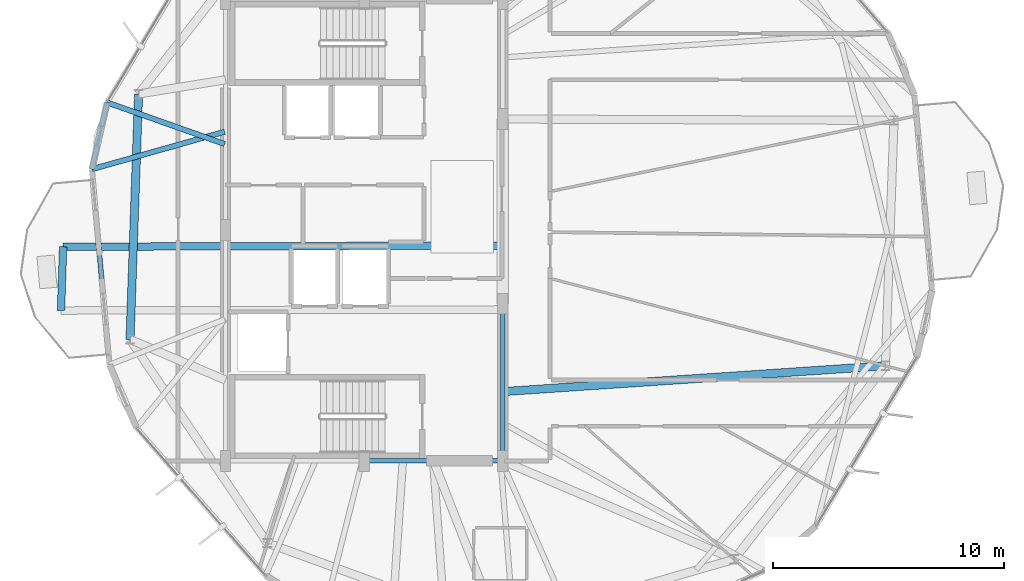
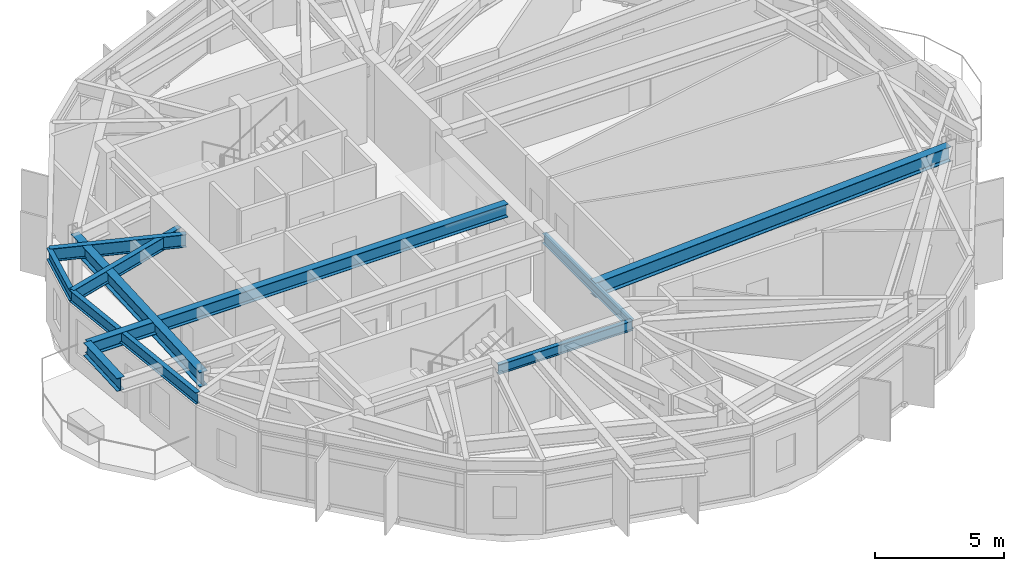
# One storey, part 7 of 23: 10 beams.
"""IFC4 building model written with IfcOpenShell, lengths in metres."""

from ifc_helpers import new_model, si_unit, direction, frame, origin, origin_2d, place, context, subcontext, project, spatial, i_section, extrude, material, material_profile, profile_set, type_object, element, save


model = new_model("IFC4")

# Units and contexts
model_context = context("Model", 3, precision=1e-05, world=origin(), true_north=direction((0.0, 1.0)))
body_context = subcontext(model_context, "Body", "Model", "MODEL_VIEW")
ifc_project = project(units=[si_unit("LENGTHUNIT", "METRE"), si_unit("AREAUNIT", "SQUARE_METRE"), si_unit("VOLUMEUNIT", "CUBIC_METRE"), si_unit("PLANEANGLEUNIT", "RADIAN"), si_unit("MASSUNIT", "GRAM", prefix="KILO")], contexts=[model_context])

# Site, building, storey
site_placement = place(None, origin())
site = spatial("IfcSite", under=ifc_project, at=site_placement, CompositionType="ELEMENT")
building_placement = place(site_placement, origin())
building = spatial("IfcBuilding", under=site, at=building_placement, Name="Soratama Intermodal Tower", CompositionType="ELEMENT")
storey_placement = place(building_placement, frame((0.0, 0.0, 250.0)))
storey = spatial("IfcBuildingStorey", under=building, at=storey_placement, Name="L63", CompositionType="ELEMENT", Elevation=250.0)

# Beams
ifc_material_1 = material(Name="Structural steel ASTM A992 Grade 50", Category="steel")
ifc_material_profile_1 = material_profile(ifc_material_1, i_section(OverallWidth=0.324951171875, OverallDepth=0.615966796875, WebThickness=0.013916015625, FlangeThickness=0.021484375, FilletRadius=0.013916015625, at=origin_2d()), Name="W24X117")
ifc_profile_set_1 = profile_set([ifc_material_profile_1], Name="Structural steel ASTM A992 Grade 50")
beam_type_1 = type_object("IfcBeamType", Name="BM-CANT-W24X117", PredefinedType="BEAM", material=ifc_profile_set_1)
beam_1_placement = place(storey_placement, frame((25.570068359375, 24.27197265625, 3.14208984375), z_axis=(-0.033658986668, -0.999433375777, 0.0), x_axis=(0.999433375777, -0.033658986668, 0.0)))
element("IfcBeam", 1, at=beam_1_placement, inside=storey, type_object=beam_type_1, Name="BM-L63-CBHDR-2", PredefinedType="BEAM", context=body_context, shape_type="SweptSolid", body=[
    extrude(i_section(OverallWidth=0.324951171875, OverallDepth=0.615966796875, WebThickness=0.013916015625, FlangeThickness=0.021484375, FilletRadius=0.013916015625, at=origin_2d()), origin(), (0.0, 0.0, 1.0), 2.763427734375),
])
beam_2_placement = place(storey_placement, frame((44.364990234375, 24.320068359375, 3.14208984375), z_axis=(-0.999996725844, -0.002558964915, 0.0), x_axis=(0.002558964915, -0.999996725844, 0.0)))
element("IfcBeam", 2, at=beam_2_placement, inside=storey, type_object=beam_type_1, Name="BM-L63-CANT-2-1", PredefinedType="BEAM", context=body_context, shape_type="SweptSolid", body=[
    extrude(i_section(OverallWidth=0.324951171875, OverallDepth=0.615966796875, WebThickness=0.013916015625, FlangeThickness=0.021484375, FilletRadius=0.013916015625, at=origin_2d()), origin(), (0.0, 0.0, 1.0), 18.794921875),
])
ifc_material_2 = material(Name="Structural steel ASTM A992 Grade 50", Category="steel")
ifc_material_profile_2 = material_profile(ifc_material_2, i_section(OverallWidth=0.19091796875, OverallDepth=0.4599609375, WebThickness=0.010009765625, FlangeThickness=0.01611328125, FilletRadius=0.010986328125, at=origin_2d()), Name="W18X55")
ifc_profile_set_2 = profile_set([ifc_material_profile_2], Name="Structural steel ASTM A992 Grade 50")
beam_type_2 = type_object("IfcBeamType", Name="BM-FLR-W18X55", PredefinedType="BEAM", material=ifc_profile_set_2)
beam_3_placement = place(storey_placement, frame((38.60009765625, 15.0, 3.219970703125), z_axis=(1.0, 0.0, 0.0), x_axis=(0.0, 1.0, 0.0)))
element("IfcBeam", 3, at=beam_3_placement, inside=storey, type_object=beam_type_2, Name="BM-L63-CRING-02", PredefinedType="BEAM", context=body_context, shape_type="SweptSolid", body=[
    extrude(i_section(OverallWidth=0.19091796875, OverallDepth=0.4599609375, WebThickness=0.010009765625, FlangeThickness=0.01611328125, FilletRadius=0.010986328125, at=origin_2d()), origin(), (0.0, 0.0, 1.0), 6.0),
])
beam_4_placement = place(storey_placement, frame((44.60009765625, 15.0, 3.219970703125), z_axis=(0.0, 1.0, 0.0), x_axis=(-1.0, 0.0, 0.0)))
element("IfcBeam", 4, at=beam_4_placement, inside=storey, type_object=beam_type_2, Name="BM-L63-CRING-03", PredefinedType="BEAM", context=body_context, shape_type="SweptSolid", body=[
    extrude(i_section(OverallWidth=0.19091796875, OverallDepth=0.4599609375, WebThickness=0.010009765625, FlangeThickness=0.01611328125, FilletRadius=0.010986328125, at=origin_2d()), origin(), (0.0, 0.0, 1.0), 6.800048828125),
])
ifc_material_3 = material(Name="Structural steel ASTM A992 Grade 50", Category="steel")
ifc_material_profile_3 = material_profile(ifc_material_3, i_section(OverallWidth=0.35498046875, OverallDepth=0.695068359375, WebThickness=0.015380859375, FlangeThickness=0.02490234375, FilletRadius=0.01611328125, at=origin_2d()), Name="W27X146")
ifc_profile_set_3 = profile_set([ifc_material_profile_3], Name="Structural steel ASTM A992 Grade 50")
beam_type_3 = type_object("IfcBeamType", Name="BM-RING-W27X146", PredefinedType="BEAM", material=ifc_profile_set_3)
beam_5_placement = place(storey_placement, frame((28.8369140625, 30.883056640625, 3.1025390625), z_axis=(-0.034885453879, -0.999391317307, 0.0), x_axis=(0.999391317307, -0.034885453879, 0.0)))
element("IfcBeam", 5, at=beam_5_placement, inside=storey, type_object=beam_type_3, Name="BM-L63-RING-05", PredefinedType="BEAM", context=body_context, shape_type="SweptSolid", body=[
    extrude(i_section(OverallWidth=0.35498046875, OverallDepth=0.695068359375, WebThickness=0.015380859375, FlangeThickness=0.02490234375, FilletRadius=0.01611328125, at=origin_2d()), origin(), (0.0, 0.0, 1.0), 10.630615234375),
])
beam_6_placement = place(storey_placement, frame((44.60009765625, 18.0, 3.1025390625), z_axis=(0.997733912176, 0.067283285401, 0.0), x_axis=(-0.067283285401, 0.997733912176, 0.0)))
element("IfcBeam", 6, at=beam_6_placement, inside=storey, type_object=beam_type_3, Name="BM-L63-RAD-10", PredefinedType="BEAM", context=body_context, shape_type="SweptSolid", body=[
    extrude(i_section(OverallWidth=0.35498046875, OverallDepth=0.695068359375, WebThickness=0.015380859375, FlangeThickness=0.02490234375, FilletRadius=0.01611328125, at=origin_2d()), origin(), (0.0, 0.0, 1.0), 16.6005859375),
])
ifc_material_4 = material(Name="Structural steel ASTM A992 Grade 50", Category="steel")
ifc_material_profile_4 = material_profile(ifc_material_4, i_section(OverallWidth=0.2099609375, OverallDepth=0.537109375, WebThickness=0.010986328125, FlangeThickness=0.017333984375, FilletRadius=0.012939453125, at=origin_2d()), Name="W21X68")
ifc_profile_set_4 = profile_set([ifc_material_profile_4], Name="Structural steel ASTM A992 Grade 50")
beam_type_4 = type_object("IfcBeamType", Name="BM-SPN-W21X68", PredefinedType="SPANDREL", material=ifc_profile_set_4)
beam_7_placement = place(storey_placement, frame((27.469970703125, 30.51708984375, 3.181396484375), z_axis=(-0.222460527486, -0.974941697596, 0.0), x_axis=(0.974941697596, -0.222460527486, 0.0)))
element("IfcBeam", 7, at=beam_7_placement, inside=storey, type_object=beam_type_4, Name="BS-L63-CRN03", PredefinedType="SPANDREL", context=body_context, shape_type="SweptSolid", body=[
    extrude(i_section(OverallWidth=0.2099609375, OverallDepth=0.537109375, WebThickness=0.010986328125, FlangeThickness=0.017333984375, FilletRadius=0.012939453125, at=origin_2d()), origin(), (0.0, 0.0, 1.0), 2.96630859375),
])
beam_8_placement = place(storey_placement, frame((26.81005859375, 27.625, 3.181396484375), z_axis=(0.089981566148, -0.995943431001, 0.0), x_axis=(0.995943431001, 0.089981566148, 0.0)))
element("IfcBeam", 8, at=beam_8_placement, inside=storey, type_object=beam_type_4, Name="BS-L63-F04", PredefinedType="SPANDREL", context=body_context, shape_type="SweptSolid", body=[
    extrude(i_section(OverallWidth=0.2099609375, OverallDepth=0.537109375, WebThickness=0.010986328125, FlangeThickness=0.017333984375, FilletRadius=0.012939453125, at=origin_2d()), origin(), (0.0, 0.0, 1.0), 8.50048828125),
])
ifc_material_5 = material(Name="Structural steel ASTM A992 Grade 50", Category="steel")
ifc_material_profile_5 = material_profile(ifc_material_5, i_section(OverallWidth=0.22900390625, OverallDepth=0.612060546875, WebThickness=0.011962890625, FlangeThickness=0.01953125, FilletRadius=0.012939453125, at=origin_2d()), Name="W24X84")
ifc_profile_set_5 = profile_set([ifc_material_profile_5], Name="Structural steel ASTM A992 Grade 50")
beam_type_5 = type_object("IfcBeamType", Name="BM-TIE-W24X84", PredefinedType="BEAM", material=ifc_profile_set_5)
beam_9_placement = place(storey_placement, frame((32.56201171875, 28.717041015625, 3.14404296875), z_axis=(-0.942824142884, 0.333290617322, 0.0), x_axis=(-0.333290617322, -0.942824142884, 0.0)))
element("IfcBeam", 9, at=beam_9_placement, inside=storey, type_object=beam_type_5, Name="BM-L63-TIE1-03", PredefinedType="BEAM", context=body_context, shape_type="SweptSolid", body=[
    extrude(i_section(OverallWidth=0.22900390625, OverallDepth=0.612060546875, WebThickness=0.011962890625, FlangeThickness=0.01953125, FilletRadius=0.012939453125, at=origin_2d()), origin(), (0.0, 0.0, 1.0), 5.40087890625),
])
beam_10_placement = place(storey_placement, frame((32.56201171875, 29.2509765625, 3.14404296875), z_axis=(-0.96229081091, -0.272022784408, 0.0), x_axis=(0.272022784408, -0.96229081091, 0.0)))
element("IfcBeam", 10, at=beam_10_placement, inside=storey, type_object=beam_type_5, Name="BM-L63-TIE0-04", PredefinedType="BEAM", context=body_context, shape_type="SweptSolid", body=[
    extrude(i_section(OverallWidth=0.22900390625, OverallDepth=0.612060546875, WebThickness=0.011962890625, FlangeThickness=0.01953125, FilletRadius=0.012939453125, at=origin_2d()), origin(), (0.0, 0.0, 1.0), 5.977294921875),
])

save(model, "model.ifc")
